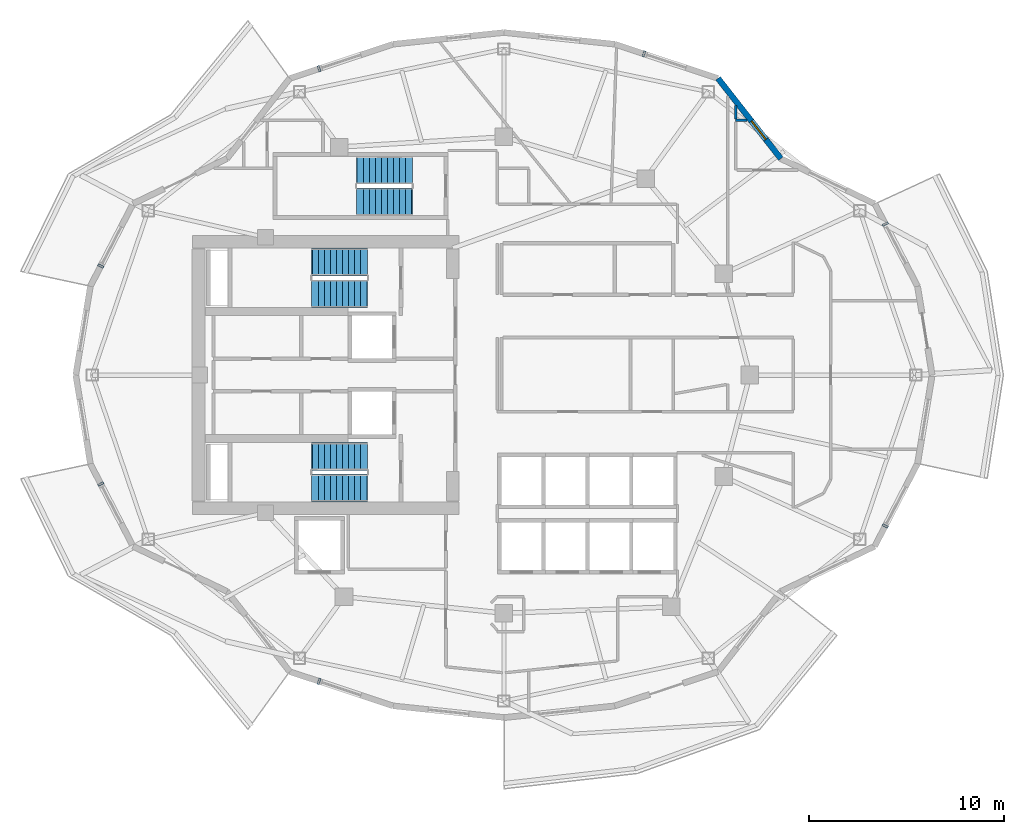
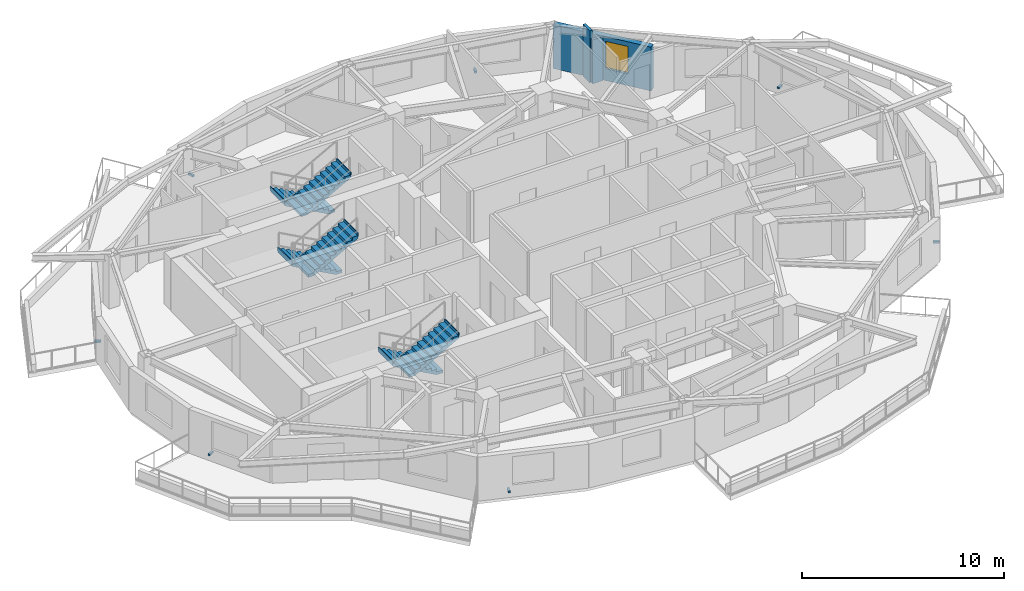
# One storey, part 7 of 12: 7 discrete accessories, 6 stair flights, 3 walls, 1 window, 1 opening, 3 elements without a shape of their own.
"""IFC4 building model written with IfcOpenShell, lengths in metres."""

from ifc_helpers import new_model, si_unit, direction, frame, frame_2d, origin, origin_2d, place, context, subcontext, project, spatial, polyline, rectangle, outline, extrude, material, layer, layer_set, type_object, element, fill, aggregate, save


model = new_model("IFC4")

# Units and contexts
model_context = context("Model", 3, precision=1e-05, world=origin(), true_north=direction((0.0, 1.0)))
body_context = subcontext(model_context, "Body", "Model", "MODEL_VIEW")
ifc_project = project(units=[si_unit("LENGTHUNIT", "METRE"), si_unit("AREAUNIT", "SQUARE_METRE"), si_unit("VOLUMEUNIT", "CUBIC_METRE"), si_unit("PLANEANGLEUNIT", "RADIAN"), si_unit("MASSUNIT", "GRAM", prefix="KILO")], contexts=[model_context])

# Site, building, storey
site_placement = place(None, origin())
site = spatial("IfcSite", under=ifc_project, at=site_placement, CompositionType="ELEMENT")
building_placement = place(site_placement, origin())
building = spatial("IfcBuilding", under=site, at=building_placement, Name="Kolvaren Gate Tower and Convention Centre", CompositionType="ELEMENT")
storey_placement = place(building_placement, frame((0.0, 0.0, 180.10009765625)))
storey = spatial("IfcBuildingStorey", under=building, at=storey_placement, Name="L47", CompositionType="ELEMENT", Elevation=180.10009765625)

# Wall, opening, window
ifc_material_1 = material(Name="Piedmont Cream Honed Limestone Cladding", Category="masonry")
ifc_layer_1 = layer(ifc_material_1, 0.300048828125)
ifc_layer_set_1 = layer_set([ifc_layer_1], Name="Piedmont Cream Honed Limestone Cladding")
wall_type_1 = type_object("IfcWallType", Name="ARCH-WL-STONE-300", PredefinedType="SOLIDWALL", material=ifc_layer_set_1)
wall_1_placement = place(storey_placement, frame((41.09375, 42.19873046875, 0.0), z_axis=(0.0, 0.0, 1.0), x_axis=(0.616429245738, -0.787410302828, 0.0)))
wall_1 = element("IfcWall", 1, at=wall_1_placement, inside=storey, type_object=wall_type_1, Name="Tower L47 Honed Stone Spandrel Wall EW-03", PredefinedType="SOLIDWALL", context=body_context, shape_type="SweptSolid", body=[
    extrude(rectangle(XDim=5.22314453125, YDim=0.300048828125, at=frame_2d((2.611572265625, 0.0))), origin(), (0.0, 0.0, 1.0), 2.65283203125),
])
opening_placement = place(wall_1_placement, frame((2.780029296875, 0.0, 0.719970703125)))
opening = element("IfcOpeningElement", 2, at=opening_placement, cuts=wall_1, Name="Opening W-04", PredefinedType="OPENING", context=body_context, shape_type="SweptSolid", body=[
    extrude(rectangle(XDim=1.199951171875, YDim=1.64990234375, at=frame_2d((0.60009765625, 0.824951171875))), frame((0.0, 0.159912109375, 0.0), z_axis=(0.0, -1.0, 0.0), x_axis=(1.0, 0.0, 0.0)), (0.0, 0.0, 1.0), 0.320068359375),
])
ifc_material_2 = material(Name="Low-E Triple Insulated Glazing Unit 44 mm", Category="glass")
window_type = type_object("IfcWindowType", Name="ARCH-WN-NARROW-1200", PartitioningType="SINGLE_PANEL", PredefinedType="WINDOW", material=ifc_material_2)
window_placement = place(opening_placement, origin())
window = element("IfcWindow", 3, at=window_placement, inside=storey, type_object=window_type, Name="Tower L47 Punched Stone Facade Window W-03", OverallHeight=1.64990234375, OverallWidth=1.199951171875, PartitioningType="SINGLE_PANEL", PredefinedType="WINDOW", context=body_context, shape_type="SweptSolid", body=[
    extrude(rectangle(XDim=1.199951171875, YDim=1.64990234375, at=frame_2d((0.60009765625, 0.824951171875))), frame((0.0, 0.030029296875, 0.0), z_axis=(0.0, -1.0, 0.0), x_axis=(1.0, 0.0, 0.0)), (0.0, 0.0, 1.0), 0.06005859375),
])
fill(opening, window)

# Walls
ifc_material_3 = material(Name="Moisture-Resistant Cement-Board Acoustic Partition", Category="gypsum")
ifc_layer_2 = layer(ifc_material_3, 0.14990234375)
ifc_layer_set_2 = layer_set([ifc_layer_2], Name="Moisture-Resistant Cement-Board Acoustic Partition")
wall_type_2 = type_object("IfcWallType", Name="ARCH-WL-WET-150", PredefinedType="PARTITIONING", material=ifc_layer_set_2)
wall_2_placement = place(storey_placement, frame((42.0, 40.050048828125, 0.0), z_axis=(0.0, 0.0, 1.0), x_axis=(1.0, 0.0, 0.0)))
element("IfcWall", 4, at=wall_2_placement, inside=storey, type_object=wall_type_2, Name="Interior Partition WL-L47-INT-060", PredefinedType="PARTITIONING", context=body_context, shape_type="SweptSolid", body=[
    extrude(rectangle(XDim=0.5830078125, YDim=0.14990234375, at=frame_2d((0.29150390625, 0.0))), origin(), (0.0, 0.0, 1.0), 2.65283203125),
])
wall_3_placement = place(storey_placement, frame((42.0, 40.126953125, 0.0), z_axis=(0.0, 0.0, 1.0), x_axis=(0.0, 1.0, 0.0)))
element("IfcWall", 5, at=wall_3_placement, inside=storey, type_object=wall_type_2, Name="Interior Partition WL-L47-INT-061 (2)", PredefinedType="PARTITIONING", context=body_context, shape_type="SweptSolid", body=[
    extrude(rectangle(XDim=0.667724609375, YDim=0.14990234375, at=frame_2d((0.333984375, 0.0))), origin(), (0.0, 0.0, 1.0), 3.1298828125),
])

# Stair, stair flights
ifc_material_4 = material(Name="Concrete C50/60", Category="concrete")
stair_type = type_object("IfcStairType", Name="STR-STAIR-CORE", PredefinedType="HALF_TURN_STAIR", material=ifc_material_4)
stair_1_placement = place(storey_placement, origin())
stair_1 = element("IfcStair", 6, at=stair_1_placement, inside=storey, type_object=stair_type, Name="L47 Tower North Exit Stair ST-T1", PredefinedType="HALF_TURN_STAIR")
stair_flight_type = type_object("IfcStairFlightType", Name="STR-SFL-1420", PredefinedType="STRAIGHT", material=ifc_material_4)
stair_flight_1_placement = place(storey_placement, frame((23.10009765625, 32.7900390625, 0.0), z_axis=(0.0, 0.0, 1.0), x_axis=(-1.0, 0.0, 0.0)))
stair_flight_1 = element("IfcStairFlight", 7, at=stair_flight_1_placement, type_object=stair_flight_type, Name="ST-T1 flight 1", NumberOfRisers=10, NumberOfTreads=9, PredefinedType="STRAIGHT", RiserHeight=0.17, TreadLength=0.31, context=body_context, shape_type="SweptSolid", body=[
    extrude(outline(polyline([(-0.034912109375, 0.0), (-0.034912109375, 0.169921875), (0.31005859375, 0.169921875), (0.31005859375, 0.340087890625), (0.6201171875, 0.340087890625), (0.6201171875, 0.510009765625), (0.929931640625, 0.510009765625), (0.929931640625, 0.679931640625), (1.239990234375, 0.679931640625), (1.239990234375, 0.85009765625), (1.550048828125, 0.85009765625), (1.550048828125, 1.02001953125), (1.860107421875, 1.02001953125), (1.860107421875, 1.18994140625), (2.169921875, 1.18994140625), (2.169921875, 1.360107421875), (2.47998046875, 1.360107421875), (2.47998046875, 1.530029296875), (2.7900390625, 1.530029296875), (2.7900390625, 1.699951171875), (2.8349609375, 1.699951171875), (2.8349609375, 1.5400390625), (2.7900390625, 1.359130859375), (0.311767578125, 0.0), (-0.034912109375, 0.0)])), frame((0.0, 0.7099609375, 0.0), z_axis=(0.0, -1.0, 0.0), x_axis=(1.0, 0.0, 0.0)), (0.0, 0.0, 1.0), 1.419921875),
])
stair_flight_2_placement = place(storey_placement, frame((20.31005859375, 31.169921875, 1.699951171875), z_axis=(0.0, 0.0, 1.0), x_axis=(1.0, 0.0, 0.0)))
stair_flight_2 = element("IfcStairFlight", 8, at=stair_flight_2_placement, type_object=stair_flight_type, Name="ST-T1 flight 2", NumberOfRisers=10, NumberOfTreads=9, PredefinedType="STRAIGHT", RiserHeight=0.17, TreadLength=0.31, context=body_context, shape_type="SweptSolid", body=[
    extrude(outline(polyline([(-0.034912109375, 0.0), (-0.034912109375, 0.169921875), (0.31005859375, 0.169921875), (0.31005859375, 0.340087890625), (0.6201171875, 0.340087890625), (0.6201171875, 0.510009765625), (0.929931640625, 0.510009765625), (0.929931640625, 0.679931640625), (1.239990234375, 0.679931640625), (1.239990234375, 0.85009765625), (1.550048828125, 0.85009765625), (1.550048828125, 1.02001953125), (1.860107421875, 1.02001953125), (1.860107421875, 1.18994140625), (2.169921875, 1.18994140625), (2.169921875, 1.360107421875), (2.47998046875, 1.360107421875), (2.47998046875, 1.530029296875), (2.7900390625, 1.530029296875), (2.7900390625, 1.699951171875), (2.8349609375, 1.699951171875), (2.8349609375, 1.5400390625), (2.7900390625, 1.359130859375), (0.311767578125, 0.0), (-0.034912109375, 0.0)])), frame((0.0, 0.7099609375, 0.0), z_axis=(0.0, -1.0, 0.0), x_axis=(1.0, 0.0, 0.0)), (0.0, 0.0, 1.0), 1.419921875),
])
aggregate(stair_1, [stair_flight_1, stair_flight_2])

stair_2_placement = place(storey_placement, origin())
stair_2 = element("IfcStair", 9, at=stair_2_placement, inside=storey, type_object=stair_type, Name="L47 Tower South Exit Stair ST-T2", PredefinedType="HALF_TURN_STAIR")
stair_flight_3_placement = place(storey_placement, frame((23.10009765625, 22.830078125, 0.0), z_axis=(0.0, 0.0, 1.0), x_axis=(-1.0, 0.0, 0.0)))
stair_flight_3 = element("IfcStairFlight", 10, at=stair_flight_3_placement, type_object=stair_flight_type, Name="ST-T2 flight 1", NumberOfRisers=10, NumberOfTreads=9, PredefinedType="STRAIGHT", RiserHeight=0.17, TreadLength=0.31, context=body_context, shape_type="SweptSolid", body=[
    extrude(outline(polyline([(-0.034912109375, 0.0), (-0.034912109375, 0.169921875), (0.31005859375, 0.169921875), (0.31005859375, 0.340087890625), (0.6201171875, 0.340087890625), (0.6201171875, 0.510009765625), (0.929931640625, 0.510009765625), (0.929931640625, 0.679931640625), (1.239990234375, 0.679931640625), (1.239990234375, 0.85009765625), (1.550048828125, 0.85009765625), (1.550048828125, 1.02001953125), (1.860107421875, 1.02001953125), (1.860107421875, 1.18994140625), (2.169921875, 1.18994140625), (2.169921875, 1.360107421875), (2.47998046875, 1.360107421875), (2.47998046875, 1.530029296875), (2.7900390625, 1.530029296875), (2.7900390625, 1.699951171875), (2.8349609375, 1.699951171875), (2.8349609375, 1.5400390625), (2.7900390625, 1.359130859375), (0.311767578125, 0.0), (-0.034912109375, 0.0)])), frame((0.0, 0.7099609375, 0.0), z_axis=(0.0, -1.0, 0.0), x_axis=(1.0, 0.0, 0.0)), (0.0, 0.0, 1.0), 1.419921875),
])
stair_flight_4_placement = place(storey_placement, frame((20.31005859375, 21.2099609375, 1.699951171875), z_axis=(0.0, 0.0, 1.0), x_axis=(1.0, 0.0, 0.0)))
stair_flight_4 = element("IfcStairFlight", 11, at=stair_flight_4_placement, type_object=stair_flight_type, Name="ST-T2 flight 2", NumberOfRisers=10, NumberOfTreads=9, PredefinedType="STRAIGHT", RiserHeight=0.17, TreadLength=0.31, context=body_context, shape_type="SweptSolid", body=[
    extrude(outline(polyline([(-0.034912109375, 0.0), (-0.034912109375, 0.169921875), (0.31005859375, 0.169921875), (0.31005859375, 0.340087890625), (0.6201171875, 0.340087890625), (0.6201171875, 0.510009765625), (0.929931640625, 0.510009765625), (0.929931640625, 0.679931640625), (1.239990234375, 0.679931640625), (1.239990234375, 0.85009765625), (1.550048828125, 0.85009765625), (1.550048828125, 1.02001953125), (1.860107421875, 1.02001953125), (1.860107421875, 1.18994140625), (2.169921875, 1.18994140625), (2.169921875, 1.360107421875), (2.47998046875, 1.360107421875), (2.47998046875, 1.530029296875), (2.7900390625, 1.530029296875), (2.7900390625, 1.699951171875), (2.8349609375, 1.699951171875), (2.8349609375, 1.5400390625), (2.7900390625, 1.359130859375), (0.311767578125, 0.0), (-0.034912109375, 0.0)])), frame((0.0, 0.7099609375, 0.0), z_axis=(0.0, -1.0, 0.0), x_axis=(1.0, 0.0, 0.0)), (0.0, 0.0, 1.0), 1.419921875),
])
aggregate(stair_2, [stair_flight_3, stair_flight_4])

stair_3_placement = place(storey_placement, origin())
stair_3 = element("IfcStair", 12, at=stair_3_placement, inside=storey, type_object=stair_type, Name="L47 Tower Mid-Zone Exit Stair ST-T3", PredefinedType="HALF_TURN_STAIR")
stair_flight_5_placement = place(storey_placement, frame((25.39990234375, 37.489990234375, 0.0), z_axis=(0.0, 0.0, 1.0), x_axis=(-1.0, 0.0, 0.0)))
stair_flight_5 = element("IfcStairFlight", 13, at=stair_flight_5_placement, type_object=stair_flight_type, Name="ST-T3 flight 1", NumberOfRisers=10, NumberOfTreads=9, PredefinedType="STRAIGHT", RiserHeight=0.17, TreadLength=0.31, context=body_context, shape_type="SweptSolid", body=[
    extrude(outline(polyline([(-0.034912109375, 0.0), (-0.034912109375, 0.169921875), (0.31005859375, 0.169921875), (0.31005859375, 0.340087890625), (0.6201171875, 0.340087890625), (0.6201171875, 0.510009765625), (0.929931640625, 0.510009765625), (0.929931640625, 0.679931640625), (1.239990234375, 0.679931640625), (1.239990234375, 0.85009765625), (1.550048828125, 0.85009765625), (1.550048828125, 1.02001953125), (1.860107421875, 1.02001953125), (1.860107421875, 1.18994140625), (2.169921875, 1.18994140625), (2.169921875, 1.360107421875), (2.47998046875, 1.360107421875), (2.47998046875, 1.530029296875), (2.7900390625, 1.530029296875), (2.7900390625, 1.699951171875), (2.8349609375, 1.699951171875), (2.8349609375, 1.5400390625), (2.7900390625, 1.359130859375), (0.311767578125, 0.0), (-0.034912109375, 0.0)])), frame((0.0, 0.7099609375, 0.0), z_axis=(0.0, -1.0, 0.0), x_axis=(1.0, 0.0, 0.0)), (0.0, 0.0, 1.0), 1.419921875),
])
stair_flight_6_placement = place(storey_placement, frame((22.610107421875, 35.8701171875, 1.699951171875), z_axis=(0.0, 0.0, 1.0), x_axis=(1.0, 0.0, 0.0)))
stair_flight_6 = element("IfcStairFlight", 14, at=stair_flight_6_placement, type_object=stair_flight_type, Name="ST-T3 flight 2", NumberOfRisers=10, NumberOfTreads=9, PredefinedType="STRAIGHT", RiserHeight=0.17, TreadLength=0.31, context=body_context, shape_type="SweptSolid", body=[
    extrude(outline(polyline([(-0.034912109375, 0.0), (-0.034912109375, 0.169921875), (0.31005859375, 0.169921875), (0.31005859375, 0.340087890625), (0.6201171875, 0.340087890625), (0.6201171875, 0.510009765625), (0.929931640625, 0.510009765625), (0.929931640625, 0.679931640625), (1.239990234375, 0.679931640625), (1.239990234375, 0.85009765625), (1.550048828125, 0.85009765625), (1.550048828125, 1.02001953125), (1.860107421875, 1.02001953125), (1.860107421875, 1.18994140625), (2.169921875, 1.18994140625), (2.169921875, 1.360107421875), (2.47998046875, 1.360107421875), (2.47998046875, 1.530029296875), (2.7900390625, 1.530029296875), (2.7900390625, 1.699951171875), (2.8349609375, 1.699951171875), (2.8349609375, 1.5400390625), (2.7900390625, 1.359130859375), (0.311767578125, 0.0), (-0.034912109375, 0.0)])), frame((0.0, 0.7099609375, 0.0), z_axis=(0.0, -1.0, 0.0), x_axis=(1.0, 0.0, 0.0)), (0.0, 0.0, 1.0), 1.419921875),
])
aggregate(stair_3, [stair_flight_5, stair_flight_6])

# Discrete accessories
ifc_material_5 = material(Name="Anodized Architectural Aluminium Alloy 6063-T6", Category="aluminium")
discrete_accessory_type = type_object("IfcDiscreteAccessoryType", Name="ARCH-ACC-BRACKET-120", PredefinedType="BRACKET", material=ifc_material_5)
for number, where, z_axis, x_axis, name in (
    (15, (49.66259765625, 34.7333984375, 0.289794921875), (0.0, 0.0, 1.0), (0.459798409467, -0.888023323259, 0.0), "Ceramic Fin Wall Anchor Bracket FBK-L47-01"),
    (16, (37.2998046875, 43.455810546875, 0.289794921875), (0.0, 0.0, 1.0), (0.949239532616, -0.314554144335, 0.0), "Ceramic Fin Wall Anchor Bracket FBK-L47-04"),
    (17, (20.6533203125, 42.69482421875, 0.289794921875), (0.0, 0.0, 1.0), (0.949237885602, 0.314559114537, 0.0), "Ceramic Fin Wall Anchor Bracket FBK-L47-07"),
    (18, (9.474365234375, 32.583984375, 0.289794921875), (0.0, 0.0, 1.0), (0.459798409467, 0.888023323259, 0.0), "Ceramic Fin Wall Anchor Bracket FBK-L47-10"),
    (19, (9.474365234375, 21.416015625, 0.289794921875), (0.0, 0.0, 1.0), (0.459798409467, -0.888023323259, 0.0), "Ceramic Fin Wall Anchor Bracket FBK-L47-13"),
    (20, (20.6533203125, 11.30517578125, 0.289794921875), (0.0, 0.0, 1.0), (0.949239532616, -0.314554144335, 0.0), "Ceramic Fin Wall Anchor Bracket FBK-L47-16"),
    (21, (49.66259765625, 19.2666015625, 0.289794921875), (0.0, 0.0, 1.0), (0.459798409467, 0.888023323259, 0.0), "Ceramic Fin Wall Anchor Bracket FBK-L47-22"),
):
    element("IfcDiscreteAccessory", number, at=place(storey_placement, frame(where, z_axis=z_axis, x_axis=x_axis)), inside=storey, type_object=discrete_accessory_type, Name=name, PredefinedType="BRACKET", context=body_context, shape_type="SweptSolid", body=[
        extrude(rectangle(XDim=0.1201171875, YDim=0.320068359375, at=origin_2d()), origin(), (0.0, 0.0, 1.0), 0.1201171875),
    ])

save(model, "model.ifc")
